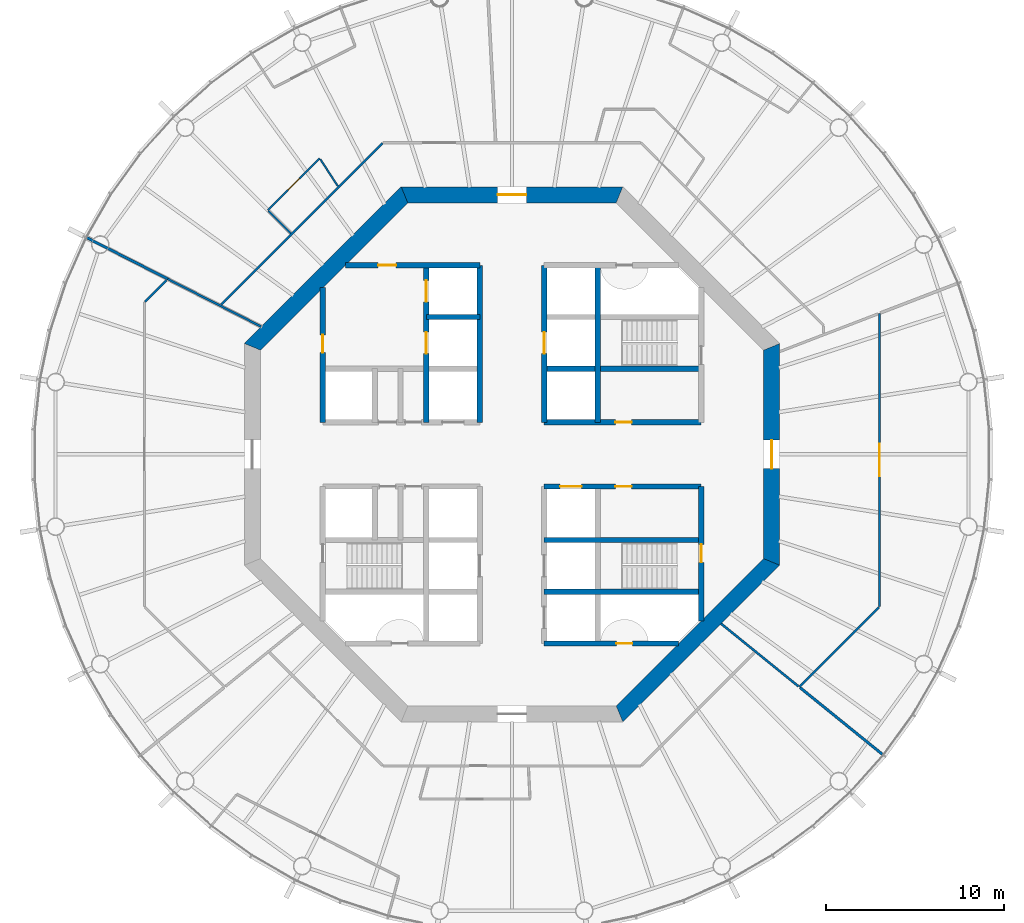
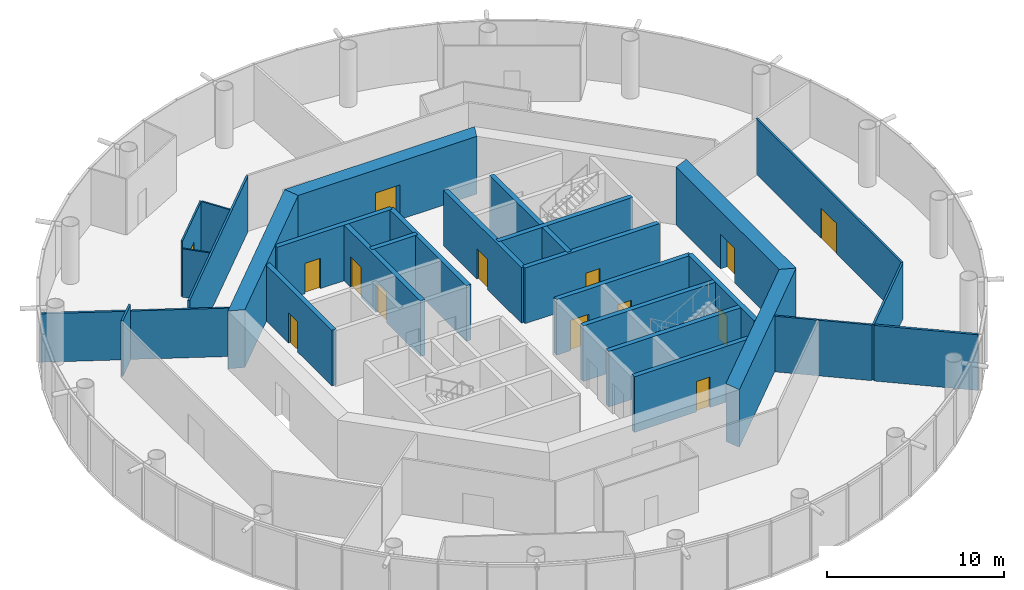
# One storey, part 4 of 12: 29 walls, 14 doors, 14 openings.
"""IFC4 building model written with IfcOpenShell, lengths in metres."""

from ifc_helpers import new_model, si_unit, direction, frame, frame_2d, origin, place, context, subcontext, project, spatial, polyline, rectangle, outline, extrude, material, layer, layer_set, type_object, element, fill, save


model = new_model("IFC4")

# Units and contexts
model_context = context("Model", 3, precision=1e-05, world=origin(), true_north=direction((0.0, 1.0)))
body_context = subcontext(model_context, "Body", "Model", "MODEL_VIEW")
ifc_project = project(units=[si_unit("LENGTHUNIT", "METRE"), si_unit("AREAUNIT", "SQUARE_METRE"), si_unit("VOLUMEUNIT", "CUBIC_METRE"), si_unit("PLANEANGLEUNIT", "RADIAN"), si_unit("MASSUNIT", "GRAM", prefix="KILO")], contexts=[model_context])

# Site, building, storey
site_placement = place(None, origin())
site = spatial("IfcSite", under=ifc_project, at=site_placement, CompositionType="ELEMENT")
building_placement = place(site_placement, origin())
building = spatial("IfcBuilding", under=site, at=building_placement, Name="Entoto Ring Tower", CompositionType="ELEMENT")
storey_placement = place(building_placement, frame((0.0, 0.0, 246.0)))
storey = spatial("IfcBuildingStorey", under=building, at=storey_placement, Name="L56", CompositionType="ELEMENT", Elevation=246.0)

# Wall, opening, door
ifc_material_1 = material(Name="Concrete C40/50", Category="concrete")
ifc_layer_1 = layer(ifc_material_1, 0.300048828125)
ifc_layer_set_1 = layer_set([ifc_layer_1], Name="Concrete C40/50")
wall_type_1 = type_object("IfcWallType", Name="Core enclosure wall 300 mm reinforced concrete", PredefinedType="SOLIDWALL", material=ifc_layer_set_1)
wall_1_placement = place(storey_placement, frame((100.60009765625, 70.65966796875, 0.0), z_axis=(0.0, 0.0, 1.0), x_axis=(0.0, 1.0, 0.0)))
wall_1 = element("IfcWall", 1, at=wall_1_placement, inside=storey, type_object=wall_type_1, Name="wall-L56-001", PredefinedType="SOLIDWALL", context=body_context, shape_type="SweptSolid", body=[
    extrude(rectangle(XDim=7.540283203125, YDim=0.300048828125, at=frame_2d((3.77001953125, 0.0))), origin(), (0.0, 0.0, 1.0), 3.85009765625),
])
opening_1_placement = place(wall_1_placement, frame((3.290283203125, 0.0, 0.0)))
opening_1 = element("IfcOpeningElement", 2, at=opening_1_placement, cuts=wall_1, Name="Opening K-61", PredefinedType="OPENING", context=body_context, shape_type="SweptSolid", body=[
    extrude(rectangle(XDim=1.0, YDim=2.10009765625, at=frame_2d((0.5, 1.050048828125))), frame((0.0, 0.16015625, 0.0), z_axis=(0.0, -1.0, 0.0), x_axis=(1.0, 0.0, 0.0)), (0.0, 0.0, 1.0), 0.320068359375),
])
ifc_material_2 = material(Name="Steel door leaf, fire rated", Category="steel")
ifc_layer_2 = layer(ifc_material_2, 0.050048828125)
ifc_layer_set_2 = layer_set([ifc_layer_2], Name="Steel door leaf, fire rated")
door_type_1 = type_object("IfcDoorType", Name="Fire door FD60 1000 x 2100 single leaf", OperationType="NOTDEFINED", PredefinedType="DOOR", material=ifc_layer_set_2)
door_1_placement = place(opening_1_placement, origin())
door_1 = element("IfcDoor", 3, at=door_1_placement, inside=storey, type_object=door_type_1, Name="Door K-61", OperationType="SINGLE_SWING_RIGHT", OverallHeight=2.10009765625, OverallWidth=1.0, PredefinedType="DOOR", context=body_context, shape_type="SweptSolid", body=[
    extrude(rectangle(XDim=1.0, YDim=2.10009765625, at=frame_2d((0.5, 1.050048828125))), frame((0.0, 0.02490234375, 0.0), z_axis=(0.0, -1.0, 0.0), x_axis=(1.0, 0.0, 0.0)), (0.0, 0.0, 1.0), 0.050048828125),
])
fill(opening_1, door_1)

# Wall
wall_2_placement = place(storey_placement, frame((94.800048828125, 81.800048828125, 0.0), z_axis=(0.0, 0.0, 1.0), x_axis=(0.0, 1.0, 0.0)))
element("IfcWall", 4, at=wall_2_placement, inside=storey, type_object=wall_type_1, Name="wall-L56-004", PredefinedType="SOLIDWALL", context=body_context, shape_type="SweptSolid", body=[
    extrude(rectangle(XDim=8.800048828125, YDim=0.300048828125, at=frame_2d((4.39990234375, 0.0))), origin(), (0.0, 0.0, 1.0), 3.85009765625),
])

# Wall, opening, door
wall_3_placement = place(storey_placement, frame((91.800048828125, 81.800048828125, 0.0), z_axis=(0.0, 0.0, 1.0), x_axis=(0.0, 1.0, 0.0)))
wall_3 = element("IfcWall", 5, at=wall_3_placement, inside=storey, type_object=wall_type_1, Name="wall-L56-006", PredefinedType="SOLIDWALL", context=body_context, shape_type="SweptSolid", body=[
    extrude(rectangle(XDim=8.800048828125, YDim=0.300048828125, at=frame_2d((4.39990234375, 0.0))), origin(), (0.0, 0.0, 1.0), 3.85009765625),
])
opening_2_placement = place(wall_3_placement, frame((3.85009765625, 0.0, 0.0)))
opening_2 = element("IfcOpeningElement", 6, at=opening_2_placement, cuts=wall_3, Name="Opening LD", PredefinedType="OPENING", context=body_context, shape_type="SweptSolid", body=[
    extrude(rectangle(XDim=1.199951171875, YDim=2.10009765625, at=frame_2d((0.60009765625, 1.050048828125))), frame((0.0, 0.16015625, 0.0), z_axis=(0.0, -1.0, 0.0), x_axis=(1.0, 0.0, 0.0)), (0.0, 0.0, 1.0), 0.320068359375),
])
ifc_material_3 = material(Name="Steel and glass door leaf", Category="steel")
ifc_layer_3 = layer(ifc_material_3, 0.050048828125)
ifc_layer_set_3 = layer_set([ifc_layer_3], Name="Steel and glass door leaf")
door_type_2 = type_object("IfcDoorType", Name="Landing door 1200 x 2100 sliding", OperationType="DOUBLE_DOOR_SLIDING", PredefinedType="DOOR", material=ifc_layer_set_3)
door_2_placement = place(opening_2_placement, origin())
door_2 = element("IfcDoor", 7, at=door_2_placement, inside=storey, type_object=door_type_2, Name="Landing door LB1-MR", OperationType="SLIDING_TO_RIGHT", OverallHeight=2.10009765625, OverallWidth=1.199951171875, PredefinedType="DOOR", context=body_context, shape_type="SweptSolid", body=[
    extrude(rectangle(XDim=1.199951171875, YDim=2.10009765625, at=frame_2d((0.60009765625, 1.050048828125))), frame((0.0, 0.02490234375, 0.0), z_axis=(0.0, -1.0, 0.0), x_axis=(1.0, 0.0, 0.0)), (0.0, 0.0, 1.0), 0.050048828125),
])
fill(opening_2, door_2)

# Wall
wall_4_placement = place(storey_placement, frame((88.199951171875, 81.800048828125, 0.0), z_axis=(0.0, 0.0, 1.0), x_axis=(0.0, 1.0, 0.0)))
element("IfcWall", 8, at=wall_4_placement, inside=storey, type_object=wall_type_1, Name="wall-L56-008", PredefinedType="SOLIDWALL", context=body_context, shape_type="SweptSolid", body=[
    extrude(rectangle(XDim=8.800048828125, YDim=0.300048828125, at=frame_2d((4.39990234375, 0.0))), origin(), (0.0, 0.0, 1.0), 3.85009765625),
])

# Wall, openings, doors
wall_5_placement = place(storey_placement, frame((85.199951171875, 81.800048828125, 0.0), z_axis=(0.0, 0.0, 1.0), x_axis=(0.0, 1.0, 0.0)))
wall_5 = element("IfcWall", 9, at=wall_5_placement, inside=storey, type_object=wall_type_1, Name="wall-L56-010", PredefinedType="SOLIDWALL", context=body_context, shape_type="SweptSolid", body=[
    extrude(rectangle(XDim=8.800048828125, YDim=0.300048828125, at=frame_2d((4.39990234375, 0.0))), origin(), (0.0, 0.0, 1.0), 3.85009765625),
])
opening_3_placement = place(wall_5_placement, frame((3.85009765625, 0.0, 0.0)))
opening_3 = element("IfcOpeningElement", 10, at=opening_3_placement, cuts=wall_5, Name="Opening LD", PredefinedType="OPENING", context=body_context, shape_type="SweptSolid", body=[
    extrude(rectangle(XDim=1.199951171875, YDim=2.10009765625, at=frame_2d((0.60009765625, 1.050048828125))), frame((0.0, 0.16015625, 0.0), z_axis=(0.0, -1.0, 0.0), x_axis=(1.0, 0.0, 0.0)), (0.0, 0.0, 1.0), 0.320068359375),
])
opening_4_placement = place(wall_5_placement, frame((6.75, 0.0, 0.0)))
opening_4 = element("IfcOpeningElement", 11, at=opening_4_placement, cuts=wall_5, Name="Opening LD", PredefinedType="OPENING", context=body_context, shape_type="SweptSolid", body=[
    extrude(rectangle(XDim=1.199951171875, YDim=2.10009765625, at=frame_2d((0.60009765625, 1.050048828125))), frame((0.0, 0.16015625, 0.0), z_axis=(0.0, -1.0, 0.0), x_axis=(1.0, 0.0, 0.0)), (0.0, 0.0, 1.0), 0.320068359375),
])
door_3_placement = place(opening_3_placement, origin())
door_3 = element("IfcDoor", 12, at=door_3_placement, inside=storey, type_object=door_type_2, Name="Landing door FF1", OperationType="SLIDING_TO_RIGHT", OverallHeight=2.10009765625, OverallWidth=1.199951171875, PredefinedType="DOOR", context=body_context, shape_type="SweptSolid", body=[
    extrude(rectangle(XDim=1.199951171875, YDim=2.10009765625, at=frame_2d((0.60009765625, 1.050048828125))), frame((0.0, 0.02490234375, 0.0), z_axis=(0.0, -1.0, 0.0), x_axis=(1.0, 0.0, 0.0)), (0.0, 0.0, 1.0), 0.050048828125),
])
fill(opening_3, door_3)
door_4_placement = place(opening_4_placement, origin())
door_4 = element("IfcDoor", 13, at=door_4_placement, inside=storey, type_object=door_type_2, Name="Landing door FF2", OperationType="SLIDING_TO_RIGHT", OverallHeight=2.10009765625, OverallWidth=1.199951171875, PredefinedType="DOOR", context=body_context, shape_type="SweptSolid", body=[
    extrude(rectangle(XDim=1.199951171875, YDim=2.10009765625, at=frame_2d((0.60009765625, 1.050048828125))), frame((0.0, 0.02490234375, 0.0), z_axis=(0.0, -1.0, 0.0), x_axis=(1.0, 0.0, 0.0)), (0.0, 0.0, 1.0), 0.050048828125),
])
fill(opening_4, door_4)

# Wall, opening, door
wall_6_placement = place(storey_placement, frame((79.39990234375, 81.800048828125, 0.0), z_axis=(0.0, 0.0, 1.0), x_axis=(0.0, 1.0, 0.0)))
wall_6 = element("IfcWall", 14, at=wall_6_placement, inside=storey, type_object=wall_type_1, Name="wall-L56-016", PredefinedType="SOLIDWALL", context=body_context, shape_type="SweptSolid", body=[
    extrude(rectangle(XDim=7.540283203125, YDim=0.300048828125, at=frame_2d((3.77001953125, 0.0))), origin(), (0.0, 0.0, 1.0), 3.85009765625),
])
opening_5_placement = place(wall_6_placement, frame((3.89990234375, 0.0, 0.0)))
opening_5 = element("IfcOpeningElement", 15, at=opening_5_placement, cuts=wall_6, Name="Opening K-23", PredefinedType="OPENING", context=body_context, shape_type="SweptSolid", body=[
    extrude(rectangle(XDim=1.0, YDim=2.10009765625, at=frame_2d((0.5, 1.050048828125))), frame((0.0, 0.16015625, 0.0), z_axis=(0.0, -1.0, 0.0), x_axis=(1.0, 0.0, 0.0)), (0.0, 0.0, 1.0), 0.320068359375),
])
door_5_placement = place(opening_5_placement, frame((1.0, 0.0, 0.0), z_axis=(0.0, 0.0, 1.0), x_axis=(-1.0, 0.0, 0.0)))
door_5 = element("IfcDoor", 16, at=door_5_placement, inside=storey, type_object=door_type_1, Name="Door K-23", OperationType="SINGLE_SWING_RIGHT", OverallHeight=2.10009765625, OverallWidth=1.0, PredefinedType="DOOR", context=body_context, shape_type="SweptSolid", body=[
    extrude(rectangle(XDim=1.0, YDim=2.10009765625, at=frame_2d((0.5, 1.050048828125))), frame((0.0, 0.02490234375, 0.0), z_axis=(0.0, -1.0, 0.0), x_axis=(1.0, 0.0, 0.0)), (0.0, 0.0, 1.0), 0.050048828125),
])
fill(opening_5, door_5)

wall_7_placement = place(storey_placement, frame((91.800048828125, 69.39990234375, 0.0), z_axis=(0.0, 0.0, 1.0), x_axis=(1.0, 0.0, 0.0)))
wall_7 = element("IfcWall", 17, at=wall_7_placement, inside=storey, type_object=wall_type_1, Name="wall-L56-018", PredefinedType="SOLIDWALL", context=body_context, shape_type="SweptSolid", body=[
    extrude(rectangle(XDim=7.540283203125, YDim=0.300048828125, at=frame_2d((3.77001953125, 0.0))), origin(), (0.0, 0.0, 1.0), 3.85009765625),
])
opening_6_placement = place(wall_7_placement, frame((4.050048828125, 0.0, 0.0)))
opening_6 = element("IfcOpeningElement", 18, at=opening_6_placement, cuts=wall_7, Name="Opening K-68", PredefinedType="OPENING", context=body_context, shape_type="SweptSolid", body=[
    extrude(rectangle(XDim=0.89990234375, YDim=2.10009765625, at=frame_2d((0.449951171875, 1.050048828125))), frame((0.0, 0.16015625, 0.0), z_axis=(0.0, -1.0, 0.0), x_axis=(1.0, 0.0, 0.0)), (0.0, 0.0, 1.0), 0.320068359375),
])
ifc_material_4 = material(Name="Steel door leaf, fire rated", Category="steel")
ifc_layer_4 = layer(ifc_material_4, 0.050048828125)
ifc_layer_set_4 = layer_set([ifc_layer_4], Name="Steel door leaf, fire rated")
door_type_3 = type_object("IfcDoorType", Name="Riser door FD60 900 x 2100 single leaf", OperationType="NOTDEFINED", PredefinedType="DOOR", material=ifc_layer_set_4)
door_6_placement = place(opening_6_placement, origin())
door_6 = element("IfcDoor", 19, at=door_6_placement, inside=storey, type_object=door_type_3, Name="Door K-68", OperationType="SINGLE_SWING_LEFT", OverallHeight=2.10009765625, OverallWidth=0.89990234375, PredefinedType="DOOR", context=body_context, shape_type="SweptSolid", body=[
    extrude(rectangle(XDim=0.89990234375, YDim=2.10009765625, at=frame_2d((0.449951171875, 1.050048828125))), frame((0.0, 0.02490234375, 0.0), z_axis=(0.0, -1.0, 0.0), x_axis=(1.0, 0.0, 0.0)), (0.0, 0.0, 1.0), 0.050048828125),
])
fill(opening_6, door_6)

# Walls
for number, where, z_axis, x_axis, name in (
    (20, (91.800048828125, 72.300048828125, 0.0), (0.0, 0.0, 1.0), (1.0, 0.0, 0.0), "wall-L56-020"),
    (21, (91.800048828125, 75.199951171875, 0.0), (0.0, 0.0, 1.0), (1.0, 0.0, 0.0), "wall-L56-022"),
):
    element("IfcWall", number, at=place(storey_placement, frame(where, z_axis=z_axis, x_axis=x_axis)), inside=storey, type_object=wall_type_1, Name=name, PredefinedType="SOLIDWALL", context=body_context, shape_type="SweptSolid", body=[
        extrude(rectangle(XDim=8.800048828125, YDim=0.300048828125, at=frame_2d((4.39990234375, 0.0))), origin(), (0.0, 0.0, 1.0), 3.85009765625),
    ])

# Wall, openings, doors
wall_8_placement = place(storey_placement, frame((91.800048828125, 78.199951171875, 0.0), z_axis=(0.0, 0.0, 1.0), x_axis=(1.0, 0.0, 0.0)))
wall_8 = element("IfcWall", 22, at=wall_8_placement, inside=storey, type_object=wall_type_1, Name="wall-L56-024", PredefinedType="SOLIDWALL", context=body_context, shape_type="SweptSolid", body=[
    extrude(rectangle(XDim=8.800048828125, YDim=0.300048828125, at=frame_2d((4.39990234375, 0.0))), origin(), (0.0, 0.0, 1.0), 3.85009765625),
])
opening_7_placement = place(wall_8_placement, frame((0.89990234375, 0.0, 0.0)))
opening_7 = element("IfcOpeningElement", 23, at=opening_7_placement, cuts=wall_8, Name="Opening LD", PredefinedType="OPENING", context=body_context, shape_type="SweptSolid", body=[
    extrude(rectangle(XDim=1.199951171875, YDim=2.10009765625, at=frame_2d((0.60009765625, 1.050048828125))), frame((0.0, 0.16015625, 0.0), z_axis=(0.0, -1.0, 0.0), x_axis=(1.0, 0.0, 0.0)), (0.0, 0.0, 1.0), 0.320068359375),
])
opening_8_placement = place(wall_8_placement, frame((4.0, 0.0, 0.0)))
opening_8 = element("IfcOpeningElement", 24, at=opening_8_placement, cuts=wall_8, Name="Opening K-12", PredefinedType="OPENING", context=body_context, shape_type="SweptSolid", body=[
    extrude(rectangle(XDim=0.89990234375, YDim=2.10009765625, at=frame_2d((0.449951171875, 1.050048828125))), frame((0.0, 0.16015625, 0.0), z_axis=(0.0, -1.0, 0.0), x_axis=(1.0, 0.0, 0.0)), (0.0, 0.0, 1.0), 0.320068359375),
])
ifc_material_5 = material(Name="Steel door leaf, fire rated", Category="steel")
ifc_layer_5 = layer(ifc_material_5, 0.050048828125)
ifc_layer_set_5 = layer_set([ifc_layer_5], Name="Steel door leaf, fire rated")
door_type_4 = type_object("IfcDoorType", Name="Core door 900 x 2100 single leaf", OperationType="NOTDEFINED", PredefinedType="DOOR", material=ifc_layer_set_5)
door_7_placement = place(opening_8_placement, frame((0.89990234375, 0.0, 0.0), z_axis=(0.0, 0.0, 1.0), x_axis=(-1.0, 0.0, 0.0)))
door_7 = element("IfcDoor", 25, at=door_7_placement, inside=storey, type_object=door_type_4, Name="Door K-12", OperationType="SINGLE_SWING_RIGHT", OverallHeight=2.10009765625, OverallWidth=0.89990234375, PredefinedType="DOOR", context=body_context, shape_type="SweptSolid", body=[
    extrude(rectangle(XDim=0.89990234375, YDim=2.10009765625, at=frame_2d((0.449951171875, 1.050048828125))), frame((0.0, 0.02490234375, 0.0), z_axis=(0.0, -1.0, 0.0), x_axis=(1.0, 0.0, 0.0)), (0.0, 0.0, 1.0), 0.050048828125),
])
fill(opening_8, door_7)
door_8_placement = place(opening_7_placement, origin())
door_8 = element("IfcDoor", 26, at=door_8_placement, inside=storey, type_object=door_type_2, Name="Landing door LB6-MR", OperationType="SLIDING_TO_LEFT", OverallHeight=2.10009765625, OverallWidth=1.199951171875, PredefinedType="DOOR", context=body_context, shape_type="SweptSolid", body=[
    extrude(rectangle(XDim=1.199951171875, YDim=2.10009765625, at=frame_2d((0.60009765625, 1.050048828125))), frame((0.0, 0.02490234375, 0.0), z_axis=(0.0, -1.0, 0.0), x_axis=(1.0, 0.0, 0.0)), (0.0, 0.0, 1.0), 0.050048828125),
])
fill(opening_7, door_8)

# Wall, opening, door
wall_9_placement = place(storey_placement, frame((91.800048828125, 81.800048828125, 0.0), z_axis=(0.0, 0.0, 1.0), x_axis=(1.0, 0.0, 0.0)))
wall_9 = element("IfcWall", 27, at=wall_9_placement, inside=storey, type_object=wall_type_1, Name="wall-L56-026", PredefinedType="SOLIDWALL", context=body_context, shape_type="SweptSolid", body=[
    extrude(rectangle(XDim=8.800048828125, YDim=0.300048828125, at=frame_2d((4.39990234375, 0.0))), origin(), (0.0, 0.0, 1.0), 3.85009765625),
])
opening_9_placement = place(wall_9_placement, frame((4.0, 0.0, 0.0)))
opening_9 = element("IfcOpeningElement", 28, at=opening_9_placement, cuts=wall_9, Name="Opening K-11", PredefinedType="OPENING", context=body_context, shape_type="SweptSolid", body=[
    extrude(rectangle(XDim=0.89990234375, YDim=2.10009765625, at=frame_2d((0.449951171875, 1.050048828125))), frame((0.0, 0.16015625, 0.0), z_axis=(0.0, -1.0, 0.0), x_axis=(1.0, 0.0, 0.0)), (0.0, 0.0, 1.0), 0.320068359375),
])
door_9_placement = place(opening_9_placement, origin())
door_9 = element("IfcDoor", 29, at=door_9_placement, inside=storey, type_object=door_type_4, Name="Door K-11", OperationType="SINGLE_SWING_LEFT", OverallHeight=2.10009765625, OverallWidth=0.89990234375, PredefinedType="DOOR", context=body_context, shape_type="SweptSolid", body=[
    extrude(rectangle(XDim=0.89990234375, YDim=2.10009765625, at=frame_2d((0.449951171875, 1.050048828125))), frame((0.0, 0.02490234375, 0.0), z_axis=(0.0, -1.0, 0.0), x_axis=(1.0, 0.0, 0.0)), (0.0, 0.0, 1.0), 0.050048828125),
])
fill(opening_9, door_9)

# Walls
wall_10_placement = place(storey_placement, frame((91.800048828125, 84.800048828125, 0.0), z_axis=(0.0, 0.0, 1.0), x_axis=(1.0, 0.0, 0.0)))
element("IfcWall", 30, at=wall_10_placement, inside=storey, type_object=wall_type_1, Name="wall-L56-028", PredefinedType="SOLIDWALL", context=body_context, shape_type="SweptSolid", body=[
    extrude(rectangle(XDim=8.800048828125, YDim=0.300048828125, at=frame_2d((4.39990234375, 0.0))), origin(), (0.0, 0.0, 1.0), 3.85009765625),
])
wall_11_placement = place(storey_placement, frame((85.199951171875, 87.699951171875, 0.0), z_axis=(0.0, 0.0, 1.0), x_axis=(1.0, 0.0, 0.0)))
element("IfcWall", 31, at=wall_11_placement, inside=storey, type_object=wall_type_1, Name="wall-L56-029", PredefinedType="SOLIDWALL", context=body_context, shape_type="SweptSolid", body=[
    extrude(rectangle(XDim=3.0, YDim=0.300048828125, at=frame_2d((1.5, 0.0))), origin(), (0.0, 0.0, 1.0), 3.85009765625),
])

# Wall, opening, door
wall_12_placement = place(storey_placement, frame((80.65966796875, 90.60009765625, 0.0), z_axis=(0.0, 0.0, 1.0), x_axis=(1.0, 0.0, 0.0)))
wall_12 = element("IfcWall", 32, at=wall_12_placement, inside=storey, type_object=wall_type_1, Name="wall-L56-031", PredefinedType="SOLIDWALL", context=body_context, shape_type="SweptSolid", body=[
    extrude(rectangle(XDim=7.540283203125, YDim=0.300048828125, at=frame_2d((3.77001953125, 0.0))), origin(), (0.0, 0.0, 1.0), 3.85009765625),
])
opening_10_placement = place(wall_12_placement, frame((1.84033203125, 0.0, 0.0)))
opening_10 = element("IfcOpeningElement", 33, at=opening_10_placement, cuts=wall_12, Name="Opening K-73", PredefinedType="OPENING", context=body_context, shape_type="SweptSolid", body=[
    extrude(rectangle(XDim=1.0, YDim=2.10009765625, at=frame_2d((0.5, 1.050048828125))), frame((0.0, 0.16015625, 0.0), z_axis=(0.0, -1.0, 0.0), x_axis=(1.0, 0.0, 0.0)), (0.0, 0.0, 1.0), 0.320068359375),
])
door_10_placement = place(opening_10_placement, frame((1.0, 0.0, 0.0), z_axis=(0.0, 0.0, 1.0), x_axis=(-1.0, 0.0, 0.0)))
door_10 = element("IfcDoor", 34, at=door_10_placement, inside=storey, type_object=door_type_1, Name="Door K-73", OperationType="SINGLE_SWING_LEFT", OverallHeight=2.10009765625, OverallWidth=1.0, PredefinedType="DOOR", context=body_context, shape_type="SweptSolid", body=[
    extrude(rectangle(XDim=1.0, YDim=2.10009765625, at=frame_2d((0.5, 1.050048828125))), frame((0.0, 0.02490234375, 0.0), z_axis=(0.0, -1.0, 0.0), x_axis=(1.0, 0.0, 0.0)), (0.0, 0.0, 1.0), 0.050048828125),
])
fill(opening_10, door_10)

ifc_material_6 = material(Name="Concrete C50/60", Category="concrete")
ifc_layer_6 = layer(ifc_material_6, 0.89990234375)
ifc_layer_set_6 = layer_set([ifc_layer_6], Name="Concrete C50/60")
wall_type_2 = type_object("IfcWallType", Name="Core shear wall 900 mm reinforced concrete C50/60", PredefinedType="SHEAR", material=ifc_layer_set_6)
wall_13_placement = place(storey_placement, frame((104.550048828125, 73.97314453125, 0.0), z_axis=(0.0, 0.0, 1.0), x_axis=(0.0, 1.0, 0.0)))
wall_13 = element("IfcWall", 35, at=wall_13_placement, inside=storey, type_object=wall_type_2, Name="wall-L56-core-0", PredefinedType="SHEAR", context=body_context, shape_type="SweptSolid", body=[
    extrude(outline(polyline([(-0.186279296875, -0.449951171875), (12.239990234375, -0.449951171875), (11.867431640625, 0.449951171875), (0.186279296875, 0.449951171875), (-0.186279296875, -0.449951171875)])), origin(), (0.0, 0.0, 1.0), 4.0),
])
opening_11_placement = place(wall_13_placement, frame((5.226806640625, 0.0, 0.0)))
opening_11 = element("IfcOpeningElement", 36, at=opening_11_placement, cuts=wall_13, Name="Opening K-01", PredefinedType="OPENING", context=body_context, shape_type="SweptSolid", body=[
    extrude(rectangle(XDim=1.60009765625, YDim=2.39990234375, at=frame_2d((0.800048828125, 1.199951171875))), frame((0.0, 0.4599609375, 0.0), z_axis=(0.0, -1.0, 0.0), x_axis=(1.0, 0.0, 0.0)), (0.0, 0.0, 1.0), 0.919921875),
])
ifc_material_7 = material(Name="Steel door leaf, fire rated", Category="steel")
ifc_layer_7 = layer(ifc_material_7, 0.050048828125)
ifc_layer_set_7 = layer_set([ifc_layer_7], Name="Steel door leaf, fire rated")
door_type_5 = type_object("IfcDoorType", Name="Entrance door FD60 1600 x 2400 double leaf", OperationType="DOUBLE_DOOR_SINGLE_SWING", PredefinedType="DOOR", material=ifc_layer_set_7)
door_11_placement = place(opening_11_placement, origin())
door_11 = element("IfcDoor", 37, at=door_11_placement, inside=storey, type_object=door_type_5, Name="Entrance door K-01", OperationType="DOUBLE_DOOR_SINGLE_SWING", OverallHeight=2.39990234375, OverallWidth=1.60009765625, PredefinedType="DOOR", context=body_context, shape_type="SweptSolid", body=[
    extrude(rectangle(XDim=1.60009765625, YDim=2.39990234375, at=frame_2d((0.800048828125, 1.199951171875))), frame((0.0, 0.02490234375, 0.0), z_axis=(0.0, -1.0, 0.0), x_axis=(1.0, 0.0, 0.0)), (0.0, 0.0, 1.0), 0.050048828125),
])
fill(opening_11, door_11)

wall_14_placement = place(storey_placement, frame((96.02685546875, 94.550048828125, 0.0), z_axis=(0.0, 0.0, 1.0), x_axis=(-1.0, 0.0, 0.0)))
wall_14 = element("IfcWall", 38, at=wall_14_placement, inside=storey, type_object=wall_type_2, Name="wall-L56-core-2", PredefinedType="SHEAR", context=body_context, shape_type="SweptSolid", body=[
    extrude(outline(polyline([(-0.186279296875, -0.449951171875), (12.239990234375, -0.449951171875), (11.867431640625, 0.449951171875), (0.186279296875, 0.449951171875), (-0.186279296875, -0.449951171875)])), origin(), (0.0, 0.0, 1.0), 4.0),
])
opening_12_placement = place(wall_14_placement, frame((5.226806640625, 0.0, 0.0)))
opening_12 = element("IfcOpeningElement", 39, at=opening_12_placement, cuts=wall_14, Name="Opening K-02", PredefinedType="OPENING", context=body_context, shape_type="SweptSolid", body=[
    extrude(rectangle(XDim=1.60009765625, YDim=2.39990234375, at=frame_2d((0.800048828125, 1.199951171875))), frame((0.0, 0.4599609375, 0.0), z_axis=(0.0, -1.0, 0.0), x_axis=(1.0, 0.0, 0.0)), (0.0, 0.0, 1.0), 0.919921875),
])
door_12_placement = place(opening_12_placement, origin())
door_12 = element("IfcDoor", 40, at=door_12_placement, inside=storey, type_object=door_type_5, Name="Entrance door K-02", OperationType="DOUBLE_DOOR_SINGLE_SWING", OverallHeight=2.39990234375, OverallWidth=1.60009765625, PredefinedType="DOOR", context=body_context, shape_type="SweptSolid", body=[
    extrude(rectangle(XDim=1.60009765625, YDim=2.39990234375, at=frame_2d((0.800048828125, 1.199951171875))), frame((0.0, 0.02490234375, 0.0), z_axis=(0.0, -1.0, 0.0), x_axis=(1.0, 0.0, 0.0)), (0.0, 0.0, 1.0), 0.050048828125),
])
fill(opening_12, door_12)

# Walls
for number, where, z_axis, x_axis, name in (
    (41, (83.97314453125, 94.550048828125, 0.0), (0.0, 0.0, 1.0), (-0.707106781187, -0.707106781187, 0.0), "wall-L56-core-3"),
    (42, (96.02685546875, 65.449951171875, 0.0), (0.0, 0.0, 1.0), (0.707106781187, 0.707106781187, 0.0), "wall-L56-core-7"),
):
    element("IfcWall", number, at=place(storey_placement, frame(where, z_axis=z_axis, x_axis=x_axis)), inside=storey, type_object=wall_type_2, Name=name, PredefinedType="SHEAR", context=body_context, shape_type="SweptSolid", body=[
        extrude(outline(polyline([(-0.186279296875, -0.449951171875), (12.239990234375, -0.449951171875), (11.867431640625, 0.449951171875), (0.186279296875, 0.449951171875), (-0.186279296875, -0.449951171875)])), origin(), (0.0, 0.0, 1.0), 4.0),
    ])

# Wall, opening, door
ifc_material_8 = material(Name="Fire-resisting plasterboard on steel studs", Category="steel")
ifc_layer_8 = layer(ifc_material_8, 0.125)
ifc_layer_set_8 = layer_set([ifc_layer_8], Name="Fire-resisting plasterboard on steel studs")
wall_type_3 = type_object("IfcWallType", Name="Corridor wall 125 mm one-hour plasterboard on steel studs", PredefinedType="PARTITIONING", material=ifc_layer_set_8)
wall_15_placement = place(storey_placement, frame((110.60009765625, 71.46728515625, 0.0), z_axis=(0.0, 0.0, 1.0), x_axis=(0.0, 1.0, 0.0)))
wall_15 = element("IfcWall", 43, at=wall_15_placement, inside=storey, type_object=wall_type_3, Name="partition-L56-002", PredefinedType="PARTITIONING", context=body_context, shape_type="SweptSolid", body=[
    extrude(rectangle(XDim=16.4404296875, YDim=0.125, at=frame_2d((8.22021484375, 0.0))), origin(), (0.0, 0.0, 1.0), 3.85009765625),
])
opening_13_placement = place(wall_15_placement, frame((7.3203125, 0.0, 0.0)))
opening_13 = element("IfcOpeningElement", 44, at=opening_13_placement, cuts=wall_15, Name="Opening A24-D01", PredefinedType="OPENING", context=body_context, shape_type="SweptSolid", body=[
    extrude(rectangle(XDim=1.800048828125, YDim=2.10009765625, at=frame_2d((0.89990234375, 1.050048828125))), frame((0.0, 0.072509765625, 0.0), z_axis=(0.0, -1.0, 0.0), x_axis=(1.0, 0.0, 0.0)), (0.0, 0.0, 1.0), 0.14501953125),
])
ifc_material_9 = material(Name="Fire-resisting timber door set", Category="wood")
door_type_6 = type_object("IfcDoorType", Name="Door 1800 x 2100 double leaf FD30S fire door", OperationType="DOUBLE_DOOR_SINGLE_SWING", PredefinedType="DOOR", material=ifc_material_9)
door_13_placement = place(opening_13_placement, frame((1.800048828125, 0.0, 0.0), z_axis=(0.0, 0.0, 1.0), x_axis=(-1.0, 0.0, 0.0)))
door_13 = element("IfcDoor", 45, at=door_13_placement, inside=storey, type_object=door_type_6, Name="Door A24-D01", OperationType="DOUBLE_DOOR_SINGLE_SWING", OverallHeight=2.10009765625, OverallWidth=1.800048828125, PredefinedType="DOOR", context=body_context, shape_type="SweptSolid", body=[
    extrude(rectangle(XDim=1.800048828125, YDim=2.10009765625, at=frame_2d((0.89990234375, 1.050048828125))), frame((0.0, 0.02490234375, 0.0), z_axis=(0.0, -1.0, 0.0), x_axis=(1.0, 0.0, 0.0)), (0.0, 0.0, 1.0), 0.050048828125),
])
fill(opening_13, door_13)

# Walls
wall_16_placement = place(storey_placement, frame((73.70068359375, 88.396484375, 0.0), z_axis=(0.0, 0.0, 1.0), x_axis=(0.707106781187, 0.707106781187, 0.0)))
element("IfcWall", 46, at=wall_16_placement, inside=storey, type_object=wall_type_3, Name="partition-L56-006", PredefinedType="PARTITIONING", context=body_context, shape_type="SweptSolid", body=[
    extrude(rectangle(XDim=12.77734375, YDim=0.125, at=frame_2d((6.388671875, 0.0))), origin(), (0.0, 0.0, 1.0), 3.85009765625),
])
wall_17_placement = place(storey_placement, frame((106.097412109375, 66.964599609375, 0.0), z_axis=(0.0, 0.0, 1.0), x_axis=(0.707106781187, 0.707106781187, 0.0)))
element("IfcWall", 47, at=wall_17_placement, inside=storey, type_object=wall_type_3, Name="partition-L56-010", PredefinedType="PARTITIONING", context=body_context, shape_type="SweptSolid", body=[
    extrude(rectangle(XDim=6.323486328125, YDim=0.125, at=frame_2d((3.16162109375, 0.0))), origin(), (0.0, 0.0, 1.0), 3.85009765625),
])
wall_18_placement = place(storey_placement, frame((106.049072265625, 67.003662109375, 0.0), z_axis=(0.0, 0.0, 1.0), x_axis=(-0.777129489168, 0.629340732089, 0.0)))
element("IfcWall", 48, at=wall_18_placement, inside=storey, type_object=wall_type_3, Name="partition-L56-014", PredefinedType="PARTITIONING", context=body_context, shape_type="SweptSolid", body=[
    extrude(rectangle(XDim=5.56884765625, YDim=0.125, at=frame_2d((2.784423828125, 0.0))), origin(), (0.0, 0.0, 1.0), 3.85009765625),
])
wall_19_placement = place(storey_placement, frame((69.43115234375, 88.56396484375, 0.0), z_axis=(0.0, 0.0, 1.0), x_axis=(0.707106781187, 0.707106781187, 0.0)))
element("IfcWall", 49, at=wall_19_placement, inside=storey, type_object=wall_type_3, Name="partition-L56-015", PredefinedType="PARTITIONING", context=body_context, shape_type="SweptSolid", body=[
    extrude(rectangle(XDim=1.6962890625, YDim=0.125, at=frame_2d((0.84814453125, 0.0))), origin(), (0.0, 0.0, 1.0), 3.85009765625),
])
ifc_material_10 = material(Name="Fire-resisting plasterboard on steel studs", Category="steel")
ifc_layer_9 = layer(ifc_material_10, 0.125)
ifc_layer_set_9 = layer_set([ifc_layer_9], Name="Fire-resisting plasterboard on steel studs")
wall_type_4 = type_object("IfcWallType", Name="Corridor wall 125 mm one-hour plasterboard on steel studs, 3350 mm high", PredefinedType="PARTITIONING", material=ifc_layer_set_9)
wall_20_placement = place(storey_placement, frame((75.947021484375, 87.160400390625, 0.0), z_axis=(0.0, 0.0, 1.0), x_axis=(-0.891009750901, 0.453984166905, 0.0)))
element("IfcWall", 50, at=wall_20_placement, inside=storey, type_object=wall_type_4, Name="partition-L56-012", PredefinedType="PARTITIONING", context=body_context, shape_type="SweptSolid", body=[
    extrude(rectangle(XDim=5.88818359375, YDim=0.125, at=frame_2d((2.944091796875, 0.0))), origin(), (0.0, 0.0, 1.0), 3.35009765625),
])

# Wall, opening, door
ifc_material_11 = material(Name="Plasterboard on steel studs", Category="steel")
ifc_layer_10 = layer(ifc_material_11, 0.10009765625)
ifc_layer_set_10 = layer_set([ifc_layer_10], Name="Plasterboard on steel studs")
wall_type_5 = type_object("IfcWallType", Name="Partition 100 mm plasterboard on steel studs", PredefinedType="PARTITIONING", material=ifc_layer_set_10)
wall_21_placement = place(storey_placement, frame((76.30859375, 93.69140625, 0.0), z_axis=(0.0, 0.0, 1.0), x_axis=(0.707106781187, 0.707106781187, 0.0)))
wall_21 = element("IfcWall", 51, at=wall_21_placement, inside=storey, type_object=wall_type_5, Name="partition-L56-026", PredefinedType="PARTITIONING", context=body_context, shape_type="SweptSolid", body=[
    extrude(rectangle(XDim=4.115478515625, YDim=0.10009765625, at=frame_2d((2.0576171875, 0.0))), origin(), (0.0, 0.0, 1.0), 3.85009765625),
])
opening_14_placement = place(wall_21_placement, frame((1.60791015625, 0.0, 0.0)))
opening_14 = element("IfcOpeningElement", 52, at=opening_14_placement, cuts=wall_21, Name="Opening A24-D08", PredefinedType="OPENING", context=body_context, shape_type="SweptSolid", body=[
    extrude(rectangle(XDim=0.89990234375, YDim=2.10009765625, at=frame_2d((0.449951171875, 1.050048828125))), frame((0.0, 0.06005859375, 0.0), z_axis=(0.0, -1.0, 0.0), x_axis=(1.0, 0.0, 0.0)), (0.0, 0.0, 1.0), 0.1201171875),
])
ifc_material_12 = material(Name="Veneered timber door leaf in timber frame", Category="wood")
door_type_7 = type_object("IfcDoorType", Name="Door 900 x 2100 single leaf timber veneer", OperationType="NOTDEFINED", PredefinedType="DOOR", material=ifc_material_12)
door_14_placement = place(opening_14_placement, frame((0.89990234375, 0.0, 0.0), z_axis=(0.0, 0.0, 1.0), x_axis=(-1.0, 0.0, 0.0)))
door_14 = element("IfcDoor", 53, at=door_14_placement, inside=storey, type_object=door_type_7, Name="Door A24-D08", OperationType="SINGLE_SWING_LEFT", OverallHeight=2.10009765625, OverallWidth=0.89990234375, PredefinedType="DOOR", context=body_context, shape_type="SweptSolid", body=[
    extrude(rectangle(XDim=0.89990234375, YDim=2.10009765625, at=frame_2d((0.449951171875, 1.050048828125))), frame((0.0, 0.02490234375, 0.0), z_axis=(0.0, -1.0, 0.0), x_axis=(1.0, 0.0, 0.0)), (0.0, 0.0, 1.0), 0.050048828125),
])
fill(opening_14, door_14)

# Walls
wall_22_placement = place(storey_placement, frame((80.236083984375, 95.034912109375, 0.0), z_axis=(0.0, 0.0, 1.0), x_axis=(-0.544584451758, 0.838706012202, 0.0)))
element("IfcWall", 54, at=wall_22_placement, inside=storey, type_object=wall_type_5, Name="partition-L56-036", PredefinedType="PARTITIONING", context=body_context, shape_type="SweptSolid", body=[
    extrude(rectangle(XDim=1.80615234375, YDim=0.10009765625, at=frame_2d((0.903076171875, 0.0))), origin(), (0.0, 0.0, 1.0), 3.85009765625),
])
ifc_material_13 = material(Name="Plasterboard on steel studs", Category="steel")
ifc_layer_11 = layer(ifc_material_13, 0.10009765625)
ifc_layer_set_11 = layer_set([ifc_layer_11], Name="Plasterboard on steel studs")
wall_type_6 = type_object("IfcWallType", Name="Partition 100 mm plasterboard on steel studs, 3350 mm high", PredefinedType="PARTITIONING", material=ifc_layer_set_11)
wall_23_placement = place(storey_placement, frame((77.60791015625, 92.39208984375, 0.0), z_axis=(0.0, 0.0, 1.0), x_axis=(-0.707106781187, 0.707106781187, 0.0)))
element("IfcWall", 55, at=wall_23_placement, inside=storey, type_object=wall_type_6, Name="partition-L56-039", PredefinedType="PARTITIONING", context=body_context, shape_type="SweptSolid", body=[
    extrude(rectangle(XDim=1.787353515625, YDim=0.10009765625, at=frame_2d((0.8935546875, 0.0))), origin(), (0.0, 0.0, 1.0), 3.35009765625),
])
ifc_material_14 = material(Name="Fire-resisting acoustic plasterboard on steel studs", Category="steel")
ifc_layer_12 = layer(ifc_material_14, 0.14990234375)
ifc_layer_set_12 = layer_set([ifc_layer_12], Name="Fire-resisting acoustic plasterboard on steel studs")
wall_type_7 = type_object("IfcWallType", Name="Party wall 150 mm one-hour acoustic plasterboard on steel studs", PredefinedType="PARTITIONING", material=ifc_layer_set_12)
wall_24_placement = place(storey_placement, frame((110.781005859375, 63.172119140625, 0.0), z_axis=(0.0, 0.0, 1.0), x_axis=(-0.777159904302, 0.62930317268, 0.0)))
element("IfcWall", 56, at=wall_24_placement, inside=storey, type_object=wall_type_7, Name="partition-L56-019", PredefinedType="PARTITIONING", context=body_context, shape_type="SweptSolid", body=[
    extrude(rectangle(XDim=5.955810546875, YDim=0.14990234375, at=frame_2d((2.97802734375, 0.0))), origin(), (0.0, 0.0, 1.0), 3.85009765625),
])
ifc_material_15 = material(Name="Fire-resisting acoustic plasterboard on steel studs", Category="steel")
ifc_layer_13 = layer(ifc_material_15, 0.14990234375)
ifc_layer_set_13 = layer_set([ifc_layer_13], Name="Fire-resisting acoustic plasterboard on steel studs")
wall_type_8 = type_object("IfcWallType", Name="Party wall 150 mm one-hour acoustic plasterboard on steel studs, 3350 mm high", PredefinedType="PARTITIONING", material=ifc_layer_set_13)
wall_25_placement = place(storey_placement, frame((70.700439453125, 89.83349609375, 0.0), z_axis=(0.0, 0.0, 1.0), x_axis=(-0.890998412494, 0.454006419485, 0.0)))
element("IfcWall", 57, at=wall_25_placement, inside=storey, type_object=wall_type_8, Name="partition-L56-020", PredefinedType="PARTITIONING", context=body_context, shape_type="SweptSolid", body=[
    extrude(rectangle(XDim=5.07958984375, YDim=0.14990234375, at=frame_2d((2.539794921875, 0.0))), origin(), (0.0, 0.0, 1.0), 3.35009765625),
])

save(model, "model.ifc")
